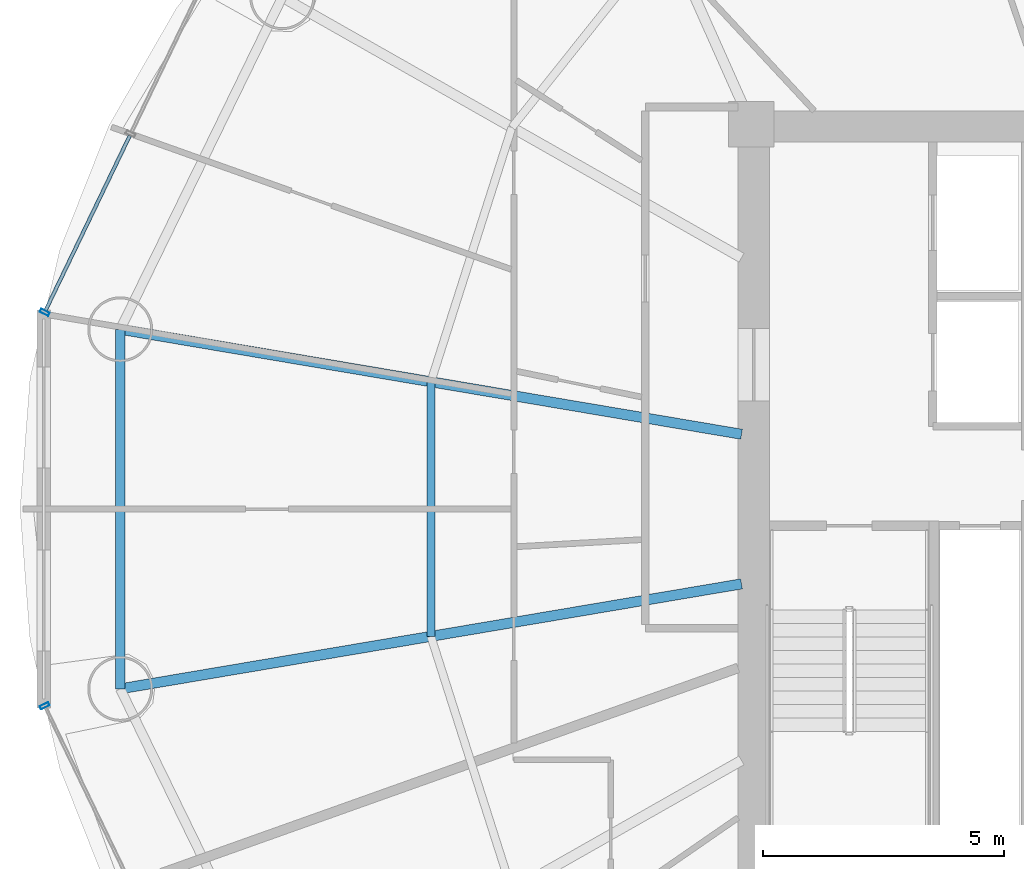
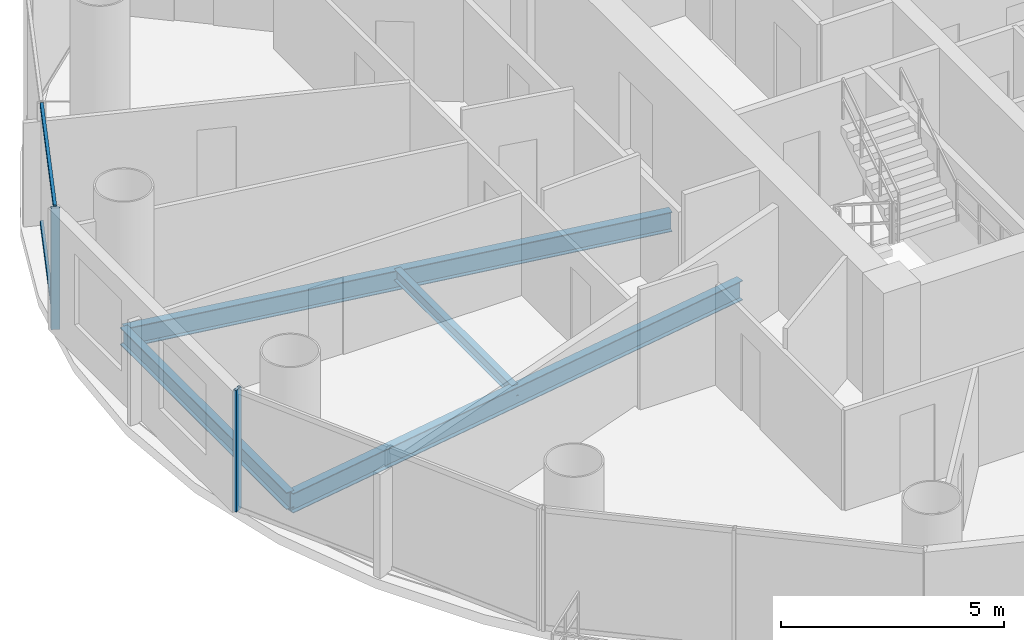
# One storey, part 6 of 27: 4 beams, 4 members, 2 elements without a shape of their own.
"""IFC4 building model written with IfcOpenShell, lengths in metres."""

from ifc_helpers import new_model, si_unit, direction, frame, origin, origin_2d, place, context, subcontext, project, spatial, hollow_rectangle, i_section, extrude, source, transform, mapped, material, material_profile, profile_set, type_object, element, aggregate, save


model = new_model("IFC4")

# Units and contexts
model_context = context("Model", 3, precision=1e-05, world=origin(), true_north=direction((-0.2419218956, 0.970295726276)))
body_context = subcontext(model_context, "Body", "Model", "MODEL_VIEW")
ifc_project = project(units=[si_unit("LENGTHUNIT", "METRE"), si_unit("AREAUNIT", "SQUARE_METRE"), si_unit("VOLUMEUNIT", "CUBIC_METRE"), si_unit("PLANEANGLEUNIT", "RADIAN"), si_unit("MASSUNIT", "GRAM", prefix="KILO")], contexts=[model_context])

# Site, building, storey
site_placement = place(None, origin())
site = spatial("IfcSite", under=ifc_project, at=site_placement, CompositionType="ELEMENT")
building_placement = place(site_placement, origin())
building = spatial("IfcBuilding", under=site, at=building_placement, Name="Cobrevalo Terracotta Tower", CompositionType="ELEMENT")
storey_placement = place(building_placement, frame((0.0, 0.0, 146.199951171875)))
storey = spatial("IfcBuildingStorey", under=building, at=storey_placement, Name="L38", CompositionType="ELEMENT", Elevation=146.199951171875)

# Beams
ifc_material_1 = material(Name="Steel S355", Category="steel")
ifc_material_profile_1 = material_profile(ifc_material_1, i_section(OverallWidth=0.2109375, OverallDepth=0.5390625, WebThickness=0.01171875, FlangeThickness=0.018798828125, at=origin_2d()), Name="W 530x109")
ifc_profile_set_1 = profile_set([ifc_material_profile_1], Name="Steel S355")
beam_type_1 = type_object("IfcBeamType", Name="Structural Beam W 530x109 (Steel S355)", PredefinedType="BEAM", material=ifc_profile_set_1)
for number, where, z_axis, x_axis, name in (
    (1, (15.88330078125, 30.535888671875, -0.53955078125), (0.986032794282, -0.166551279191, 0.0), (0.166551279191, 0.986032794282, 0.0), "L38 radial floor girder 08"),
    (2, (15.88330078125, 23.06396484375, -0.53955078125), (0.986029732232, 0.166569406417, 0.0), (-0.166569406417, 0.986029732232, 0.0), "L38 radial floor girder 09"),
):
    element("IfcBeam", number, at=place(storey_placement, frame(where, z_axis=z_axis, x_axis=x_axis)), inside=storey, type_object=beam_type_1, Name=name, PredefinedType="BEAM", context=body_context, shape_type="SweptSolid", body=[
        extrude(i_section(OverallWidth=0.2109375, OverallDepth=0.5390625, WebThickness=0.01171875, FlangeThickness=0.018798828125, at=origin_2d()), origin(), (0.0, 0.0, 1.0), 13.094482421875),
    ])
ifc_material_profile_2 = material_profile(ifc_material_1, i_section(OverallWidth=0.1650390625, OverallDepth=0.31005859375, WebThickness=0.005859375, FlangeThickness=0.009765625, at=origin_2d()), Name="W 310x38.7")
ifc_profile_set_2 = profile_set([ifc_material_profile_2], Name="Steel S355")
beam_type_2 = type_object("IfcBeamType", Name="Structural Joist W 310x38.7 (Steel S355)", PredefinedType="JOIST", material=ifc_profile_set_2)
beam_1_placement = place(storey_placement, frame((22.339111328125, 29.445556640625, -0.425048828125), z_axis=(0.0, -1.0, 0.0), x_axis=(1.0, 0.0, 0.0)))
element("IfcBeam", 3, at=beam_1_placement, inside=storey, type_object=beam_type_2, Name="L38 circumferential secondary floor joist 08", PredefinedType="JOIST", context=body_context, shape_type="SweptSolid", body=[
    extrude(i_section(OverallWidth=0.1650390625, OverallDepth=0.31005859375, WebThickness=0.005859375, FlangeThickness=0.009765625, at=origin_2d()), origin(), (0.0, 0.0, 1.0), 5.291015625),
])
ifc_material_profile_3 = material_profile(ifc_material_1, i_section(OverallWidth=0.194091796875, OverallDepth=0.468994140625, WebThickness=0.011474609375, FlangeThickness=0.0205078125, at=origin_2d()), Name="W 460x106")
ifc_profile_set_3 = profile_set([ifc_material_profile_3], Name="Steel S355")
beam_type_3 = type_object("IfcBeamType", Name="Structural Spandrel W 460x106 (Steel S355)", PredefinedType="SPANDREL", material=ifc_profile_set_3)
beam_2_placement = place(storey_placement, frame((15.88330078125, 30.535888671875, -0.50439453125), z_axis=(0.0, -1.0, 0.0), x_axis=(1.0, 0.0, 0.0)))
element("IfcBeam", 4, at=beam_2_placement, inside=storey, type_object=beam_type_3, Name="L38 perimeter ring spandrel 08", PredefinedType="SPANDREL", context=body_context, shape_type="SweptSolid", body=[
    extrude(i_section(OverallWidth=0.194091796875, OverallDepth=0.468994140625, WebThickness=0.011474609375, FlangeThickness=0.0205078125, at=origin_2d()), origin(), (0.0, 0.0, 1.0), 7.471923828125),
])

# Curtain wall, member
ifc_material_2 = material(Name="Anodized aluminium", Category="aluminium")
curtain_wall_type = type_object("IfcCurtainWallType", Name="Mid-tower high-wind unitised curtain wall CW-U2", PredefinedType="NOTDEFINED", material=ifc_material_2)
curtain_wall_1_placement = place(storey_placement, origin())
curtain_wall_1 = element("IfcCurtainWall", 5, at=curtain_wall_1_placement, inside=storey, type_object=curtain_wall_type, Name="L38 curtain wall CW-L38-S07", PredefinedType="NOTDEFINED")
ifc_material_profile_4 = material_profile(ifc_material_2, hollow_rectangle(XDim=0.074951171875, YDim=0.199951171875, WallThickness=0.0048828125, at=origin_2d()), Name="CWM 75x200")
ifc_profile_set_4 = profile_set([ifc_material_profile_4], Name="Anodized aluminium")
member_type_1 = type_object("IfcMemberType", Name="Lower/mid tower unitised mullion 75x200", PredefinedType="MULLION", material=ifc_profile_set_4)
shared_shape_1 = source(origin(), body_context, "Body", "SweptSolid", [
    extrude(hollow_rectangle(XDim=0.074951171875, YDim=0.199951171875, WallThickness=0.0048828125, at=origin_2d()), origin(), (0.0, 0.0, 1.0), 3.330078125),
])
member_1_placement = place(storey_placement, frame((14.311767578125, 30.887939453125, 0.0), z_axis=(0.0, 0.0, 1.0), x_axis=(-0.434209440271, -0.900811945957, 0.0)))
member_1 = element("IfcMember", 6, at=member_1_placement, type_object=member_type_1, Name="CW-L38-S07 vertical mullion 03", PredefinedType="MULLION", context=body_context, shape_type="MappedRepresentation", body=[
    mapped(shared_shape_1, transform((0.0, 0.0, 0.0), scale=1.0)),
])

curtain_wall_2_placement = place(storey_placement, origin())
curtain_wall_2 = element("IfcCurtainWall", 7, at=curtain_wall_2_placement, inside=storey, type_object=curtain_wall_type, Name="L38 curtain wall CW-L38-S09", PredefinedType="NOTDEFINED")
member_2_placement = place(storey_placement, frame((14.311767578125, 22.7119140625, 0.0), z_axis=(0.0, 0.0, 1.0), x_axis=(0.434209440271, -0.900811945957, 0.0)))
member_2 = element("IfcMember", 8, at=member_2_placement, type_object=member_type_1, Name="CW-L38-S09 vertical mullion 01", PredefinedType="MULLION", context=body_context, shape_type="MappedRepresentation", body=[
    mapped(shared_shape_1, transform((0.0, 0.0, 0.0), scale=1.0)),
])
aggregate(curtain_wall_2, [member_2])

# Member
ifc_material_profile_5 = material_profile(ifc_material_2, hollow_rectangle(XDim=0.074951171875, YDim=0.14990234375, WallThickness=0.00439453125, at=origin_2d()), Name="CWT 75x150")
ifc_profile_set_5 = profile_set([ifc_material_profile_5], Name="Anodized aluminium")
member_type_2 = type_object("IfcMemberType", Name="Tower unitised aluminium transom 75x150", PredefinedType="USERDEFINED", material=ifc_profile_set_5)
shared_shape_2 = source(origin(), body_context, "Body", "SweptSolid", [
    extrude(hollow_rectangle(XDim=0.074951171875, YDim=0.14990234375, WallThickness=0.00439453125, at=origin_2d()), origin(), (0.0, 0.0, 1.0), 4.035888671875),
])
member_3_placement = place(storey_placement, frame((16.08154296875, 34.5595703125, 0.050048828125), z_axis=(-0.434221176581, -0.900806288726, 0.0), x_axis=(0.900806288726, -0.434221176581, 0.0)))
member_3 = element("IfcMember", 9, at=member_3_placement, type_object=member_type_2, Name="CW-L38-S07 transom B02-T1", ObjectType="TRANSOM", PredefinedType="USERDEFINED", context=body_context, shape_type="MappedRepresentation", body=[
    mapped(shared_shape_2, transform((0.0, 0.0, 0.0), scale=1.0)),
])

member_4_placement = place(storey_placement, frame((16.08154296875, 34.5595703125, 3.280029296875), z_axis=(-0.434221176581, -0.900806288726, 0.0), x_axis=(0.900806288726, -0.434221176581, 0.0)))
member_4 = element("IfcMember", 10, at=member_4_placement, type_object=member_type_2, Name="CW-L38-S07 transom B02-T2", ObjectType="TRANSOM", PredefinedType="USERDEFINED", context=body_context, shape_type="MappedRepresentation", body=[
    mapped(shared_shape_2, transform((0.0, 0.0, 0.0), scale=1.0)),
])

aggregate(curtain_wall_1, [member_1, member_3, member_4])

save(model, "model.ifc")
